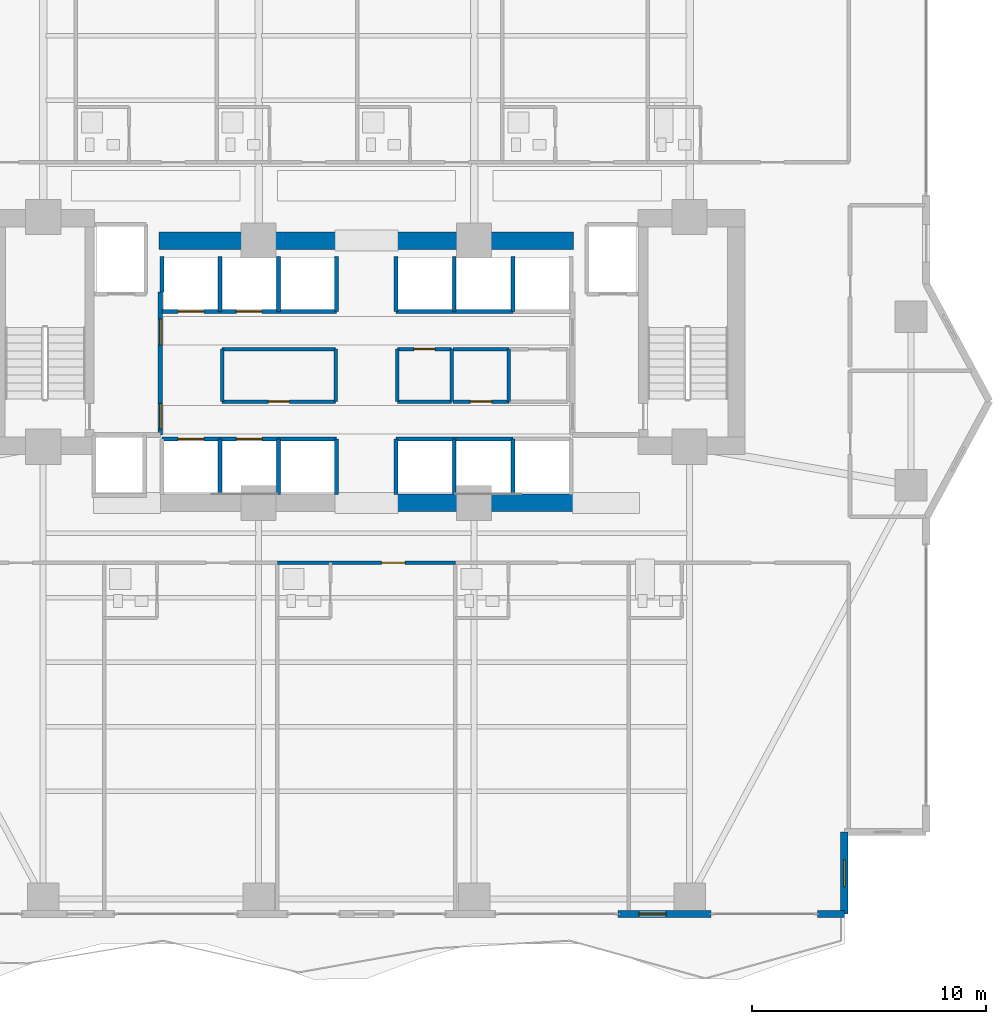
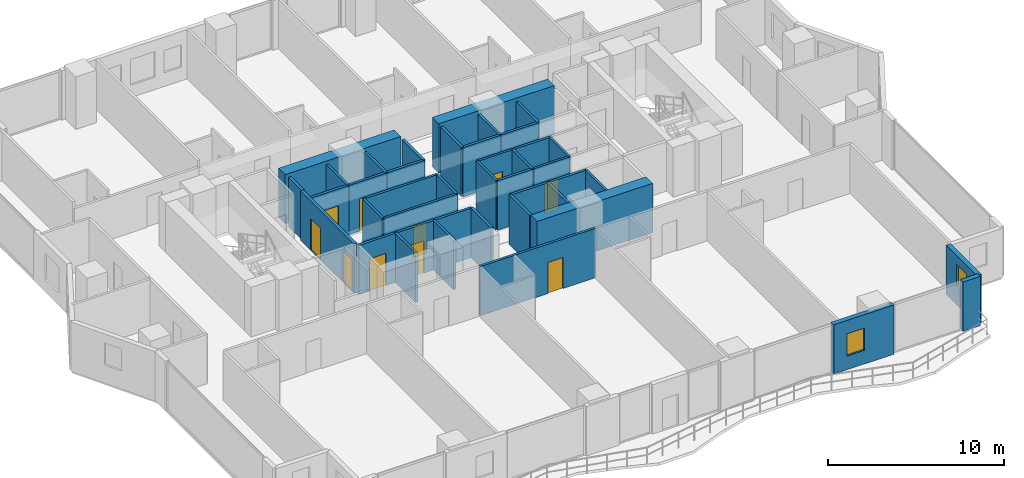
# One storey, part 21 of 28: 42 walls, 10 doors, 2 windows, 12 openings.
"""IFC4 building model written with IfcOpenShell, lengths in metres."""

from ifc_helpers import new_model, si_unit, direction, frame, frame_2d, origin, place, context, subcontext, project, spatial, rectangle, extrude, material, layer, layer_set, type_object, element, fill, save


model = new_model("IFC4")

# Units and contexts
model_context = context("Model", 3, precision=1e-05, world=origin(), true_north=direction((0.0, 1.0)))
body_context = subcontext(model_context, "Body", "Model", "MODEL_VIEW")
ifc_project = project(units=[si_unit("LENGTHUNIT", "METRE"), si_unit("AREAUNIT", "SQUARE_METRE"), si_unit("VOLUMEUNIT", "CUBIC_METRE"), si_unit("PLANEANGLEUNIT", "RADIAN"), si_unit("MASSUNIT", "GRAM", prefix="KILO")], contexts=[model_context])

# Site, building, storey
site_placement = place(None, origin())
site = spatial("IfcSite", under=ifc_project, at=site_placement, CompositionType="ELEMENT")
building_placement = place(site_placement, origin())
building = spatial("IfcBuilding", under=site, at=building_placement, Name="Zuhayl Quay Hotel", CompositionType="ELEMENT")
storey_placement = place(building_placement, frame((0.0, 0.0, 99.300048828125)))
storey = spatial("IfcBuildingStorey", under=building, at=storey_placement, Name="L24", CompositionType="ELEMENT", Elevation=99.300048828125)

# Walls
ifc_material_1 = material(Name="Concrete C60/75", Category="concrete")
ifc_layer_1 = layer(ifc_material_1, 0.75, Name="Concrete C60/75", Category="concrete")
ifc_layer_set_1 = layer_set([ifc_layer_1], Name="Concrete C60/75")
wall_type_1 = type_object("IfcWallType", Name="WL_CORE_750", PredefinedType="SHEAR", material=ifc_layer_set_1)
for number, where, z_axis, x_axis, name in (
    (1, (1.25, 2.14990234375, 0.0), (0.0, 0.0, 1.0), (1.0, 0.0, 0.0), "L24 Core Shear Wall CW_SC_E"),
    (2, (-8.85009765625, 13.35009765625, 0.0), (0.0, 0.0, 1.0), (1.0, 0.0, 0.0), "L24 Core Shear Wall CW_NC_W"),
    (3, (1.25, 13.35009765625, 0.0), (0.0, 0.0, 1.0), (1.0, 0.0, 0.0), "L24 Core Shear Wall CW_NC_E"),
):
    element("IfcWall", number, at=place(storey_placement, frame(where, z_axis=z_axis, x_axis=x_axis)), inside=storey, type_object=wall_type_1, Name=name, PredefinedType="SHEAR", context=body_context, shape_type="SweptSolid", body=[
        extrude(rectangle(XDim=7.60009765625, YDim=0.75, at=frame_2d((3.800048828125, 0.0))), origin(), (0.0, 0.0, 1.0), 3.429931640625),
    ])

# Wall, opening, window
ifc_material_2 = material(Name="Precast concrete C45/55", Category="concrete")
ifc_layer_2 = layer(ifc_material_2, 0.300048828125, Name="Precast concrete C45/55", Category="concrete")
ifc_layer_set_2 = layer_set([ifc_layer_2], Name="Precast concrete C45/55")
wall_type_2 = type_object("IfcWallType", Name="WL_EXT_300", PredefinedType="STANDARD", material=ifc_layer_set_2)
wall_1_placement = place(storey_placement, frame((20.39990234375, -11.89990234375, 0.0), z_axis=(0.0, 0.0, 1.0), x_axis=(0.0, -1.0, 0.0)))
wall_1 = element("IfcWall", 4, at=wall_1_placement, inside=storey, type_object=wall_type_2, Name="L24 Exterior Precast Wall ENV_L24_EW16", PredefinedType="STANDARD", context=body_context, shape_type="SweptSolid", body=[
    extrude(rectangle(XDim=3.5, YDim=0.300048828125, at=frame_2d((1.75, 0.0))), origin(), (0.0, 0.0, 1.0), 3.429931640625),
])
opening_1_placement = place(wall_1_placement, frame((1.18505859375, 0.0, 1.25)))
opening_1 = element("IfcOpeningElement", 5, at=opening_1_placement, cuts=wall_1, Name="Opening W01N", PredefinedType="OPENING", context=body_context, shape_type="SweptSolid", body=[
    extrude(rectangle(XDim=1.14990234375, YDim=1.550048828125, at=frame_2d((0.574951171875, 0.77490234375))), frame((0.0, 0.159912109375, 0.0), z_axis=(0.0, -1.0, 0.0), x_axis=(1.0, 0.0, 0.0)), (0.0, 0.0, 1.0), 0.320068359375),
])
ifc_material_3 = material(Name="Dark Ceramic-Fritted Solar Glass", Category="glass")
window_type = type_object("IfcWindowType", Name="WN_NOTCH_1350", PartitioningType="SINGLE_PANEL", PredefinedType="WINDOW", material=ifc_material_3)
window_1_placement = place(opening_1_placement, origin())
window_1 = element("IfcWindow", 6, at=window_1_placement, inside=storey, type_object=window_type, Name="L24 Corner Notch Window 16", OverallHeight=1.550048828125, OverallWidth=1.14990234375, PartitioningType="SINGLE_PANEL", PredefinedType="WINDOW", context=body_context, shape_type="SweptSolid", body=[
    extrude(rectangle(XDim=1.14990234375, YDim=1.550048828125, at=frame_2d((0.574951171875, 0.77490234375))), frame((0.0, 0.030029296875, 0.0), z_axis=(0.0, -1.0, 0.0), x_axis=(1.0, 0.0, 0.0)), (0.0, 0.0, 1.0), 0.06005859375),
])
fill(opening_1, window_1)

# Wall
wall_2_placement = place(storey_placement, frame((20.39990234375, -15.39990234375, 0.0), z_axis=(0.0, 0.0, 1.0), x_axis=(-1.0, 0.0, 0.0)))
element("IfcWall", 7, at=wall_2_placement, inside=storey, type_object=wall_type_2, Name="L24 Exterior Precast Wall ENV_L24_S_EW1", PredefinedType="STANDARD", context=body_context, shape_type="SweptSolid", body=[
    extrude(rectangle(XDim=1.14990234375, YDim=0.300048828125, at=frame_2d((0.574951171875, 0.0))), origin(), (0.0, 0.0, 1.0), 3.429931640625),
])

# Wall, opening, window
wall_3_placement = place(storey_placement, frame((14.719970703125, -15.39990234375, 0.0), z_axis=(0.0, 0.0, 1.0), x_axis=(-1.0, 0.0, 0.0)))
wall_3 = element("IfcWall", 8, at=wall_3_placement, inside=storey, type_object=wall_type_2, Name="L24 Exterior Precast Wall ENV_L24_S_EW2", PredefinedType="STANDARD", context=body_context, shape_type="SweptSolid", body=[
    extrude(rectangle(XDim=3.969970703125, YDim=0.300048828125, at=frame_2d((1.98486328125, 0.0))), origin(), (0.0, 0.0, 1.0), 3.429931640625),
])
opening_2_placement = place(wall_3_placement, frame((1.93505859375, 0.0, 0.949951171875)))
opening_2 = element("IfcOpeningElement", 9, at=opening_2_placement, cuts=wall_3, Name="Opening W01N", PredefinedType="OPENING", context=body_context, shape_type="SweptSolid", body=[
    extrude(rectangle(XDim=1.14990234375, YDim=1.550048828125, at=frame_2d((0.574951171875, 0.77490234375))), frame((0.0, 0.159912109375, 0.0), z_axis=(0.0, -1.0, 0.0), x_axis=(1.0, 0.0, 0.0)), (0.0, 0.0, 1.0), 0.320068359375),
])
window_2_placement = place(opening_2_placement, origin())
window_2 = element("IfcWindow", 10, at=window_2_placement, inside=storey, type_object=window_type, Name="L24 Operable Facade Window 2-1", OverallHeight=1.550048828125, OverallWidth=1.14990234375, PartitioningType="SINGLE_PANEL", PredefinedType="WINDOW", context=body_context, shape_type="SweptSolid", body=[
    extrude(rectangle(XDim=1.14990234375, YDim=1.550048828125, at=frame_2d((0.574951171875, 0.77490234375))), frame((0.0, 0.030029296875, 0.0), z_axis=(0.0, -1.0, 0.0), x_axis=(1.0, 0.0, 0.0)), (0.0, 0.0, 1.0), 0.06005859375),
])
fill(opening_2, window_2)

# Wall, opening, door
ifc_material_4 = material(Name="Acoustic Gypsum Partition STC-58")
ifc_layer_3 = layer(ifc_material_4, 0.14990234375, Name="Acoustic Gypsum Partition STC-58")
ifc_layer_set_3 = layer_set([ifc_layer_3], Name="Acoustic Gypsum Partition STC-58")
wall_type_3 = type_object("IfcWallType", Name="WL_PART_150", PredefinedType="PARTITIONING", material=ifc_layer_set_3)
wall_4_placement = place(storey_placement, frame((-6.159912109375, 6.47998046875, 0.0), z_axis=(0.0, 0.0, 1.0), x_axis=(1.0, 0.0, 0.0)))
wall_4 = element("IfcWall", 11, at=wall_4_placement, inside=storey, type_object=wall_type_3, Name="L24 Partition IW_L24_CORE_SV_S", PredefinedType="PARTITIONING", context=body_context, shape_type="SweptSolid", body=[
    extrude(rectangle(XDim=4.83984375, YDim=0.14990234375, at=frame_2d((2.419921875, 0.0))), origin(), (0.0, 0.0, 1.0), 3.429931640625),
])
opening_3_placement = place(wall_4_placement, frame((1.969970703125, 0.0, 0.0)))
opening_3 = element("IfcOpeningElement", 12, at=opening_3_placement, cuts=wall_4, Name="Opening D06", PredefinedType="OPENING", context=body_context, shape_type="SweptSolid", body=[
    extrude(rectangle(XDim=0.89990234375, YDim=2.14990234375, at=frame_2d((0.449951171875, 1.074951171875))), frame((0.0, 0.0849609375, 0.0), z_axis=(0.0, -1.0, 0.0), x_axis=(1.0, 0.0, 0.0)), (0.0, 0.0, 1.0), 0.169921875),
])
ifc_material_5 = material(Name="Steel ASTM A992 Grade 50", Category="steel")
door_type_1 = type_object("IfcDoorType", Name="DR_INT_900", OperationType="NOTDEFINED", PredefinedType="DOOR", material=ifc_material_5)
door_1_placement = place(opening_3_placement, origin())
door_1 = element("IfcDoor", 13, at=door_1_placement, inside=storey, type_object=door_type_1, Name="L24 Core Ice and Linen Store Door", OperationType="SINGLE_SWING_RIGHT", OverallHeight=2.14990234375, OverallWidth=0.89990234375, PredefinedType="DOOR", context=body_context, shape_type="SweptSolid", body=[
    extrude(rectangle(XDim=0.89990234375, YDim=2.14990234375, at=frame_2d((0.449951171875, 1.074951171875))), frame((0.0, 0.02490234375, 0.0), z_axis=(0.0, -1.0, 0.0), x_axis=(1.0, 0.0, 0.0)), (0.0, 0.0, 1.0), 0.050048828125),
])
fill(opening_3, door_1)

wall_5_placement = place(storey_placement, frame((1.320068359375, 8.719970703125, 0.0), z_axis=(0.0, 0.0, 1.0), x_axis=(1.0, 0.0, 0.0)))
wall_5 = element("IfcWall", 14, at=wall_5_placement, inside=storey, type_object=wall_type_3, Name="L24 Partition IW_L24_CORE_E1_N", PredefinedType="PARTITIONING", context=body_context, shape_type="SweptSolid", body=[
    extrude(rectangle(XDim=2.31982421875, YDim=0.14990234375, at=frame_2d((1.159912109375, 0.0))), origin(), (0.0, 0.0, 1.0), 3.429931640625),
])
opening_4_placement = place(wall_5_placement, frame((0.7099609375, 0.0, 0.0)))
opening_4 = element("IfcOpeningElement", 15, at=opening_4_placement, cuts=wall_5, Name="Opening D06", PredefinedType="OPENING", context=body_context, shape_type="SweptSolid", body=[
    extrude(rectangle(XDim=0.89990234375, YDim=2.14990234375, at=frame_2d((0.449951171875, 1.074951171875))), frame((0.0, 0.0849609375, 0.0), z_axis=(0.0, -1.0, 0.0), x_axis=(1.0, 0.0, 0.0)), (0.0, 0.0, 1.0), 0.169921875),
])
door_2_placement = place(opening_4_placement, origin())
door_2 = element("IfcDoor", 16, at=door_2_placement, inside=storey, type_object=door_type_1, Name="L24 Floor Electrical Closet Door", OperationType="SINGLE_SWING_LEFT", OverallHeight=2.14990234375, OverallWidth=0.89990234375, PredefinedType="DOOR", context=body_context, shape_type="SweptSolid", body=[
    extrude(rectangle(XDim=0.89990234375, YDim=2.14990234375, at=frame_2d((0.449951171875, 1.074951171875))), frame((0.0, 0.02490234375, 0.0), z_axis=(0.0, -1.0, 0.0), x_axis=(1.0, 0.0, 0.0)), (0.0, 0.0, 1.0), 0.050048828125),
])
fill(opening_4, door_2)

wall_6_placement = place(storey_placement, frame((3.699951171875, 6.47998046875, 0.0), z_axis=(0.0, 0.0, 1.0), x_axis=(1.0, 0.0, 0.0)))
wall_6 = element("IfcWall", 17, at=wall_6_placement, inside=storey, type_object=wall_type_3, Name="L24 Partition IW_L24_CORE_E2_S", PredefinedType="PARTITIONING", context=body_context, shape_type="SweptSolid", body=[
    extrude(rectangle(XDim=2.380126953125, YDim=0.14990234375, at=frame_2d((1.18994140625, 0.0))), origin(), (0.0, 0.0, 1.0), 3.429931640625),
])
opening_5_placement = place(wall_6_placement, frame((0.739990234375, 0.0, 0.0)))
opening_5 = element("IfcOpeningElement", 18, at=opening_5_placement, cuts=wall_6, Name="Opening D06", PredefinedType="OPENING", context=body_context, shape_type="SweptSolid", body=[
    extrude(rectangle(XDim=0.89990234375, YDim=2.14990234375, at=frame_2d((0.449951171875, 1.074951171875))), frame((0.0, 0.0849609375, 0.0), z_axis=(0.0, -1.0, 0.0), x_axis=(1.0, 0.0, 0.0)), (0.0, 0.0, 1.0), 0.169921875),
])
door_3_placement = place(opening_5_placement, origin())
door_3 = element("IfcDoor", 19, at=door_3_placement, inside=storey, type_object=door_type_1, Name="L24 Data Closet Door", OperationType="SINGLE_SWING_RIGHT", OverallHeight=2.14990234375, OverallWidth=0.89990234375, PredefinedType="DOOR", context=body_context, shape_type="SweptSolid", body=[
    extrude(rectangle(XDim=0.89990234375, YDim=2.14990234375, at=frame_2d((0.449951171875, 1.074951171875))), frame((0.0, 0.02490234375, 0.0), z_axis=(0.0, -1.0, 0.0), x_axis=(1.0, 0.0, 0.0)), (0.0, 0.0, 1.0), 0.050048828125),
])
fill(opening_5, door_3)

# Walls
wall_7_placement = place(storey_placement, frame((-6.159912109375, 8.719970703125, 0.0), z_axis=(0.0, 0.0, 1.0), x_axis=(1.0, 0.0, 0.0)))
element("IfcWall", 20, at=wall_7_placement, inside=storey, type_object=wall_type_3, Name="L24 Partition IW_L24_CORE_SV_N", PredefinedType="PARTITIONING", context=body_context, shape_type="SweptSolid", body=[
    extrude(rectangle(XDim=4.83984375, YDim=0.14990234375, at=frame_2d((2.419921875, 0.0))), origin(), (0.0, 0.0, 1.0), 3.429931640625),
])
for number, where, z_axis, x_axis, name in (
    (21, (-6.159912109375, 6.47998046875, 0.0), (0.0, 0.0, 1.0), (0.0, 1.0, 0.0), "L24 Partition IW_L24_CORE_SV_W"),
    (22, (-1.320068359375, 6.47998046875, 0.0), (0.0, 0.0, 1.0), (0.0, 1.0, 0.0), "L24 Partition IW_L24_CORE_SV_E"),
):
    element("IfcWall", number, at=place(storey_placement, frame(where, z_axis=z_axis, x_axis=x_axis)), inside=storey, type_object=wall_type_3, Name=name, PredefinedType="PARTITIONING", context=body_context, shape_type="SweptSolid", body=[
        extrude(rectangle(XDim=2.239990234375, YDim=0.14990234375, at=frame_2d((1.1201171875, 0.0))), origin(), (0.0, 0.0, 1.0), 3.429931640625),
    ])
wall_8_placement = place(storey_placement, frame((1.320068359375, 6.47998046875, 0.0), z_axis=(0.0, 0.0, 1.0), x_axis=(1.0, 0.0, 0.0)))
element("IfcWall", 23, at=wall_8_placement, inside=storey, type_object=wall_type_3, Name="L24 Partition IW_L24_CORE_E1_S", PredefinedType="PARTITIONING", context=body_context, shape_type="SweptSolid", body=[
    extrude(rectangle(XDim=2.31982421875, YDim=0.14990234375, at=frame_2d((1.159912109375, 0.0))), origin(), (0.0, 0.0, 1.0), 3.429931640625),
])
for number, where, z_axis, x_axis, name in (
    (24, (1.320068359375, 6.47998046875, 0.0), (0.0, 0.0, 1.0), (0.0, 1.0, 0.0), "L24 Partition IW_L24_CORE_E1_W"),
    (25, (3.639892578125, 6.47998046875, 0.0), (0.0, 0.0, 1.0), (0.0, 1.0, 0.0), "L24 Partition IW_L24_CORE_E1_E"),
):
    element("IfcWall", number, at=place(storey_placement, frame(where, z_axis=z_axis, x_axis=x_axis)), inside=storey, type_object=wall_type_3, Name=name, PredefinedType="PARTITIONING", context=body_context, shape_type="SweptSolid", body=[
        extrude(rectangle(XDim=2.239990234375, YDim=0.14990234375, at=frame_2d((1.1201171875, 0.0))), origin(), (0.0, 0.0, 1.0), 3.429931640625),
    ])
wall_9_placement = place(storey_placement, frame((3.699951171875, 8.719970703125, 0.0), z_axis=(0.0, 0.0, 1.0), x_axis=(1.0, 0.0, 0.0)))
element("IfcWall", 26, at=wall_9_placement, inside=storey, type_object=wall_type_3, Name="L24 Partition IW_L24_CORE_E2_N", PredefinedType="PARTITIONING", context=body_context, shape_type="SweptSolid", body=[
    extrude(rectangle(XDim=2.380126953125, YDim=0.14990234375, at=frame_2d((1.18994140625, 0.0))), origin(), (0.0, 0.0, 1.0), 3.429931640625),
])
wall_10_placement = place(storey_placement, frame((6.080078125, 6.47998046875, 0.0), z_axis=(0.0, 0.0, 1.0), x_axis=(0.0, 1.0, 0.0)))
element("IfcWall", 27, at=wall_10_placement, inside=storey, type_object=wall_type_3, Name="L24 Partition IW_L24_CORE_E2_E", PredefinedType="PARTITIONING", context=body_context, shape_type="SweptSolid", body=[
    extrude(rectangle(XDim=2.239990234375, YDim=0.14990234375, at=frame_2d((1.1201171875, 0.0))), origin(), (0.0, 0.0, 1.0), 3.429931640625),
])

# Wall, opening, door
ifc_layer_4 = layer(ifc_material_4, 0.159912109375, Name="Acoustic Gypsum Partition STC-58")
ifc_layer_set_4 = layer_set([ifc_layer_4], Name="Acoustic Gypsum Partition STC-58")
wall_type_4 = type_object("IfcWallType", Name="WL_PART_CORR_160", PredefinedType="PARTITIONING", material=ifc_layer_set_4)
wall_11_placement = place(storey_placement, frame((-3.800048828125, -0.39990234375, 0.0), z_axis=(0.0, 0.0, 1.0), x_axis=(1.0, 0.0, 0.0)))
wall_11 = element("IfcWall", 28, at=wall_11_placement, inside=storey, type_object=wall_type_4, Name="L24 Partition IW_L24_SU03_COR", PredefinedType="PARTITIONING", context=body_context, shape_type="SweptSolid", body=[
    extrude(rectangle(XDim=7.60009765625, YDim=0.159912109375, at=frame_2d((3.800048828125, 0.0))), origin(), (0.0, 0.0, 1.0), 3.429931640625),
])
opening_6_placement = place(wall_11_placement, frame((4.449951171875, 0.0, 0.0)))
opening_6 = element("IfcOpeningElement", 29, at=opening_6_placement, cuts=wall_11, Name="Opening D03L", PredefinedType="OPENING", context=body_context, shape_type="SweptSolid", body=[
    extrude(rectangle(XDim=1.0, YDim=2.14990234375, at=frame_2d((0.5, 1.074951171875))), frame((0.0, 0.08984375, 0.0), z_axis=(0.0, -1.0, 0.0), x_axis=(1.0, 0.0, 0.0)), (0.0, 0.0, 1.0), 0.179931640625),
])
ifc_material_6 = material(Name="Solid Walnut Acoustic Fire Door")
door_type_2 = type_object("IfcDoorType", Name="DR_SUITE_1000", OperationType="NOTDEFINED", PredefinedType="DOOR", material=ifc_material_6)
door_4_placement = place(opening_6_placement, origin())
door_4 = element("IfcDoor", 30, at=door_4_placement, inside=storey, type_object=door_type_2, Name="L24 City-View Junior Suite L24-03 Entrance Door", OperationType="SINGLE_SWING_LEFT", OverallHeight=2.14990234375, OverallWidth=1.0, PredefinedType="DOOR", context=body_context, shape_type="SweptSolid", body=[
    extrude(rectangle(XDim=1.0, YDim=2.14990234375, at=frame_2d((0.5, 1.074951171875))), frame((0.0, 0.02490234375, 0.0), z_axis=(0.0, -1.0, 0.0), x_axis=(1.0, 0.0, 0.0)), (0.0, 0.0, 1.0), 0.050048828125),
])
fill(opening_6, door_4)

ifc_material_7 = material(Name="Gypsum Fireboard Assembly EI-90")
ifc_layer_5 = layer(ifc_material_7, 0.1650390625, Name="Gypsum Fireboard Assembly EI-90")
ifc_layer_set_5 = layer_set([ifc_layer_5], Name="Gypsum Fireboard Assembly EI-90")
wall_type_5 = type_object("IfcWallType", Name="WL_PART_SHAFT_160", PredefinedType="PARTITIONING", material=ifc_layer_set_5)
wall_12_placement = place(storey_placement, frame((-8.72998046875, 4.8798828125, 0.0), z_axis=(0.0, 0.0, 1.0), x_axis=(1.0, 0.0, 0.0)))
wall_12 = element("IfcWall", 31, at=wall_12_placement, inside=storey, type_object=wall_type_5, Name="L24 Partition IW_L24_SH_LP1_F", PredefinedType="PARTITIONING", context=body_context, shape_type="SweptSolid", body=[
    extrude(rectangle(XDim=2.47998046875, YDim=0.1650390625, at=frame_2d((1.239990234375, 0.0))), origin(), (0.0, 0.0, 1.0), 3.429931640625),
])
opening_7_placement = place(wall_12_placement, frame((0.68994140625, 0.0, 0.0)))
opening_7 = element("IfcOpeningElement", 32, at=opening_7_placement, cuts=wall_12, Name="Opening LD1", PredefinedType="OPENING", context=body_context, shape_type="SweptSolid", body=[
    extrude(rectangle(XDim=1.10009765625, YDim=2.25, at=frame_2d((0.550048828125, 1.125))), frame((0.0, 0.092529296875, 0.0), z_axis=(0.0, -1.0, 0.0), x_axis=(1.0, 0.0, 0.0)), (0.0, 0.0, 1.0), 0.18505859375),
])
ifc_material_8 = material(Name="Brushed Stainless Steel", Category="steel")
door_type_3 = type_object("IfcDoorType", Name="DR_LIFT_PASS_1100", OperationType="SLIDING_TO_LEFT", PredefinedType="DOOR", material=ifc_material_8)
door_5_placement = place(opening_7_placement, origin())
door_5 = element("IfcDoor", 33, at=door_5_placement, inside=storey, type_object=door_type_3, Name="L24 Lift LP1 Sliding Landing Door", OperationType="SLIDING_TO_LEFT", OverallHeight=2.25, OverallWidth=1.10009765625, PredefinedType="DOOR", context=body_context, shape_type="SweptSolid", body=[
    extrude(rectangle(XDim=1.10009765625, YDim=2.25, at=frame_2d((0.550048828125, 1.125))), frame((0.0, 0.02490234375, 0.0), z_axis=(0.0, -1.0, 0.0), x_axis=(1.0, 0.0, 0.0)), (0.0, 0.0, 1.0), 0.050048828125),
])
fill(opening_7, door_5)

wall_13_placement = place(storey_placement, frame((-6.25, 4.8798828125, 0.0), z_axis=(0.0, 0.0, 1.0), x_axis=(1.0, 0.0, 0.0)))
wall_13 = element("IfcWall", 34, at=wall_13_placement, inside=storey, type_object=wall_type_5, Name="L24 Partition IW_L24_SH_LP2_F", PredefinedType="PARTITIONING", context=body_context, shape_type="SweptSolid", body=[
    extrude(rectangle(XDim=2.5, YDim=0.1650390625, at=frame_2d((1.25, 0.0))), origin(), (0.0, 0.0, 1.0), 3.429931640625),
])
opening_8_placement = place(wall_13_placement, frame((0.699951171875, 0.0, 0.0)))
opening_8 = element("IfcOpeningElement", 35, at=opening_8_placement, cuts=wall_13, Name="Opening LD1", PredefinedType="OPENING", context=body_context, shape_type="SweptSolid", body=[
    extrude(rectangle(XDim=1.10009765625, YDim=2.25, at=frame_2d((0.550048828125, 1.125))), frame((0.0, 0.092529296875, 0.0), z_axis=(0.0, -1.0, 0.0), x_axis=(1.0, 0.0, 0.0)), (0.0, 0.0, 1.0), 0.18505859375),
])
door_6_placement = place(opening_8_placement, origin())
door_6 = element("IfcDoor", 36, at=door_6_placement, inside=storey, type_object=door_type_3, Name="L24 Lift LP2 Sliding Landing Door", OperationType="SLIDING_TO_LEFT", OverallHeight=2.25, OverallWidth=1.10009765625, PredefinedType="DOOR", context=body_context, shape_type="SweptSolid", body=[
    extrude(rectangle(XDim=1.10009765625, YDim=2.25, at=frame_2d((0.550048828125, 1.125))), frame((0.0, 0.02490234375, 0.0), z_axis=(0.0, -1.0, 0.0), x_axis=(1.0, 0.0, 0.0)), (0.0, 0.0, 1.0), 0.050048828125),
])
fill(opening_8, door_6)

wall_14_placement = place(storey_placement, frame((-8.72998046875, 10.320068359375, 0.0), z_axis=(0.0, 0.0, 1.0), x_axis=(1.0, 0.0, 0.0)))
wall_14 = element("IfcWall", 37, at=wall_14_placement, inside=storey, type_object=wall_type_5, Name="L24 Partition IW_L24_SH_LP3_F", PredefinedType="PARTITIONING", context=body_context, shape_type="SweptSolid", body=[
    extrude(rectangle(XDim=2.47998046875, YDim=0.1650390625, at=frame_2d((1.239990234375, 0.0))), origin(), (0.0, 0.0, 1.0), 3.429931640625),
])
opening_9_placement = place(wall_14_placement, frame((0.68994140625, 0.0, 0.0)))
opening_9 = element("IfcOpeningElement", 38, at=opening_9_placement, cuts=wall_14, Name="Opening LD1", PredefinedType="OPENING", context=body_context, shape_type="SweptSolid", body=[
    extrude(rectangle(XDim=1.10009765625, YDim=2.25, at=frame_2d((0.550048828125, 1.125))), frame((0.0, 0.092529296875, 0.0), z_axis=(0.0, -1.0, 0.0), x_axis=(1.0, 0.0, 0.0)), (0.0, 0.0, 1.0), 0.18505859375),
])
door_7_placement = place(opening_9_placement, origin())
door_7 = element("IfcDoor", 39, at=door_7_placement, inside=storey, type_object=door_type_3, Name="L24 Lift LP3 Sliding Landing Door", OperationType="SLIDING_TO_LEFT", OverallHeight=2.25, OverallWidth=1.10009765625, PredefinedType="DOOR", context=body_context, shape_type="SweptSolid", body=[
    extrude(rectangle(XDim=1.10009765625, YDim=2.25, at=frame_2d((0.550048828125, 1.125))), frame((0.0, 0.02490234375, 0.0), z_axis=(0.0, -1.0, 0.0), x_axis=(1.0, 0.0, 0.0)), (0.0, 0.0, 1.0), 0.050048828125),
])
fill(opening_9, door_7)

wall_15_placement = place(storey_placement, frame((-6.25, 10.320068359375, 0.0), z_axis=(0.0, 0.0, 1.0), x_axis=(1.0, 0.0, 0.0)))
wall_15 = element("IfcWall", 40, at=wall_15_placement, inside=storey, type_object=wall_type_5, Name="L24 Partition IW_L24_SH_LP4_F", PredefinedType="PARTITIONING", context=body_context, shape_type="SweptSolid", body=[
    extrude(rectangle(XDim=2.5, YDim=0.1650390625, at=frame_2d((1.25, 0.0))), origin(), (0.0, 0.0, 1.0), 3.429931640625),
])
opening_10_placement = place(wall_15_placement, frame((0.699951171875, 0.0, 0.0)))
opening_10 = element("IfcOpeningElement", 41, at=opening_10_placement, cuts=wall_15, Name="Opening LD1", PredefinedType="OPENING", context=body_context, shape_type="SweptSolid", body=[
    extrude(rectangle(XDim=1.10009765625, YDim=2.25, at=frame_2d((0.550048828125, 1.125))), frame((0.0, 0.092529296875, 0.0), z_axis=(0.0, -1.0, 0.0), x_axis=(1.0, 0.0, 0.0)), (0.0, 0.0, 1.0), 0.18505859375),
])
door_8_placement = place(opening_10_placement, origin())
door_8 = element("IfcDoor", 42, at=door_8_placement, inside=storey, type_object=door_type_3, Name="L24 Lift LP4 Sliding Landing Door", OperationType="SLIDING_TO_LEFT", OverallHeight=2.25, OverallWidth=1.10009765625, PredefinedType="DOOR", context=body_context, shape_type="SweptSolid", body=[
    extrude(rectangle(XDim=1.10009765625, YDim=2.25, at=frame_2d((0.550048828125, 1.125))), frame((0.0, 0.02490234375, 0.0), z_axis=(0.0, -1.0, 0.0), x_axis=(1.0, 0.0, 0.0)), (0.0, 0.0, 1.0), 0.050048828125),
])
fill(opening_10, door_8)

# Walls
for number, where, z_axis, x_axis, name in (
    (43, (-6.25, 2.52001953125, 0.0), (0.0, 0.0, 1.0), (0.0, 1.0, 0.0), "L24 Partition IW_L24_SH_LP1_E"),
    (44, (-3.75, 2.52001953125, 0.0), (0.0, 0.0, 1.0), (0.0, 1.0, 0.0), "L24 Partition IW_L24_SH_LP2_E"),
):
    element("IfcWall", number, at=place(storey_placement, frame(where, z_axis=z_axis, x_axis=x_axis)), inside=storey, type_object=wall_type_5, Name=name, PredefinedType="PARTITIONING", context=body_context, shape_type="SweptSolid", body=[
        extrude(rectangle(XDim=2.35986328125, YDim=0.1650390625, at=frame_2d((1.179931640625, 0.0))), origin(), (0.0, 0.0, 1.0), 3.429931640625),
    ])
wall_16_placement = place(storey_placement, frame((-8.72998046875, 11.14990234375, 0.0), z_axis=(0.0, 0.0, 1.0), x_axis=(0.0, 1.0, 0.0)))
element("IfcWall", 45, at=wall_16_placement, inside=storey, type_object=wall_type_5, Name="L24 Partition IW_L24_SH_LP3_W", PredefinedType="PARTITIONING", context=body_context, shape_type="SweptSolid", body=[
    extrude(rectangle(XDim=1.530029296875, YDim=0.1650390625, at=frame_2d((0.76513671875, 0.0))), origin(), (0.0, 0.0, 1.0), 3.429931640625),
])
for number, where, z_axis, x_axis, name in (
    (46, (-6.25, 10.320068359375, 0.0), (0.0, 0.0, 1.0), (0.0, 1.0, 0.0), "L24 Partition IW_L24_SH_LP3_E"),
    (47, (-3.75, 10.320068359375, 0.0), (0.0, 0.0, 1.0), (0.0, 1.0, 0.0), "L24 Partition IW_L24_SH_LP4_E"),
):
    element("IfcWall", number, at=place(storey_placement, frame(where, z_axis=z_axis, x_axis=x_axis)), inside=storey, type_object=wall_type_5, Name=name, PredefinedType="PARTITIONING", context=body_context, shape_type="SweptSolid", body=[
        extrude(rectangle(XDim=2.35986328125, YDim=0.1650390625, at=frame_2d((1.179931640625, 0.0))), origin(), (0.0, 0.0, 1.0), 3.429931640625),
    ])
wall_17_placement = place(storey_placement, frame((-3.75, 4.8798828125, 0.0), z_axis=(0.0, 0.0, 1.0), x_axis=(1.0, 0.0, 0.0)))
element("IfcWall", 48, at=wall_17_placement, inside=storey, type_object=wall_type_5, Name="L24 Partition IW_L24_SH_MP1_F", PredefinedType="PARTITIONING", context=body_context, shape_type="SweptSolid", body=[
    extrude(rectangle(XDim=2.47998046875, YDim=0.1650390625, at=frame_2d((1.239990234375, 0.0))), origin(), (0.0, 0.0, 1.0), 3.429931640625),
])
wall_18_placement = place(storey_placement, frame((-1.27001953125, 2.52001953125, 0.0), z_axis=(0.0, 0.0, 1.0), x_axis=(0.0, 1.0, 0.0)))
element("IfcWall", 49, at=wall_18_placement, inside=storey, type_object=wall_type_5, Name="L24 Partition IW_L24_SH_MP1_E", PredefinedType="PARTITIONING", context=body_context, shape_type="SweptSolid", body=[
    extrude(rectangle(XDim=2.35986328125, YDim=0.1650390625, at=frame_2d((1.179931640625, 0.0))), origin(), (0.0, 0.0, 1.0), 3.429931640625),
])
wall_19_placement = place(storey_placement, frame((1.27001953125, 4.8798828125, 0.0), z_axis=(0.0, 0.0, 1.0), x_axis=(1.0, 0.0, 0.0)))
element("IfcWall", 50, at=wall_19_placement, inside=storey, type_object=wall_type_5, Name="L24 Partition IW_L24_SH_MP2_F", PredefinedType="PARTITIONING", context=body_context, shape_type="SweptSolid", body=[
    extrude(rectangle(XDim=2.47998046875, YDim=0.1650390625, at=frame_2d((1.239990234375, 0.0))), origin(), (0.0, 0.0, 1.0), 3.429931640625),
])
for number, where, z_axis, x_axis, name in (
    (51, (1.27001953125, 2.52001953125, 0.0), (0.0, 0.0, 1.0), (0.0, 1.0, 0.0), "L24 Partition IW_L24_SH_MP2_W"),
    (52, (3.75, 2.52001953125, 0.0), (0.0, 0.0, 1.0), (0.0, 1.0, 0.0), "L24 Partition IW_L24_SH_MP2_E"),
):
    element("IfcWall", number, at=place(storey_placement, frame(where, z_axis=z_axis, x_axis=x_axis)), inside=storey, type_object=wall_type_5, Name=name, PredefinedType="PARTITIONING", context=body_context, shape_type="SweptSolid", body=[
        extrude(rectangle(XDim=2.35986328125, YDim=0.1650390625, at=frame_2d((1.179931640625, 0.0))), origin(), (0.0, 0.0, 1.0), 3.429931640625),
    ])
wall_20_placement = place(storey_placement, frame((-3.75, 10.320068359375, 0.0), z_axis=(0.0, 0.0, 1.0), x_axis=(1.0, 0.0, 0.0)))
element("IfcWall", 53, at=wall_20_placement, inside=storey, type_object=wall_type_5, Name="L24 Partition IW_L24_SH_MP3_F", PredefinedType="PARTITIONING", context=body_context, shape_type="SweptSolid", body=[
    extrude(rectangle(XDim=2.47998046875, YDim=0.1650390625, at=frame_2d((1.239990234375, 0.0))), origin(), (0.0, 0.0, 1.0), 3.429931640625),
])
wall_21_placement = place(storey_placement, frame((-1.27001953125, 10.320068359375, 0.0), z_axis=(0.0, 0.0, 1.0), x_axis=(0.0, 1.0, 0.0)))
element("IfcWall", 54, at=wall_21_placement, inside=storey, type_object=wall_type_5, Name="L24 Partition IW_L24_SH_MP3_E", PredefinedType="PARTITIONING", context=body_context, shape_type="SweptSolid", body=[
    extrude(rectangle(XDim=2.35986328125, YDim=0.1650390625, at=frame_2d((1.179931640625, 0.0))), origin(), (0.0, 0.0, 1.0), 3.429931640625),
])
wall_22_placement = place(storey_placement, frame((1.27001953125, 10.320068359375, 0.0), z_axis=(0.0, 0.0, 1.0), x_axis=(1.0, 0.0, 0.0)))
element("IfcWall", 55, at=wall_22_placement, inside=storey, type_object=wall_type_5, Name="L24 Partition IW_L24_SH_MP4_F", PredefinedType="PARTITIONING", context=body_context, shape_type="SweptSolid", body=[
    extrude(rectangle(XDim=2.47998046875, YDim=0.1650390625, at=frame_2d((1.239990234375, 0.0))), origin(), (0.0, 0.0, 1.0), 3.429931640625),
])
for number, where, z_axis, x_axis, name in (
    (56, (1.27001953125, 10.320068359375, 0.0), (0.0, 0.0, 1.0), (0.0, 1.0, 0.0), "L24 Partition IW_L24_SH_MP4_W"),
    (57, (3.75, 10.320068359375, 0.0), (0.0, 0.0, 1.0), (0.0, 1.0, 0.0), "L24 Partition IW_L24_SH_MP4_E"),
):
    element("IfcWall", number, at=place(storey_placement, frame(where, z_axis=z_axis, x_axis=x_axis)), inside=storey, type_object=wall_type_5, Name=name, PredefinedType="PARTITIONING", context=body_context, shape_type="SweptSolid", body=[
        extrude(rectangle(XDim=2.35986328125, YDim=0.1650390625, at=frame_2d((1.179931640625, 0.0))), origin(), (0.0, 0.0, 1.0), 3.429931640625),
    ])
wall_23_placement = place(storey_placement, frame((3.75, 4.8798828125, 0.0), z_axis=(0.0, 0.0, 1.0), x_axis=(1.0, 0.0, 0.0)))
element("IfcWall", 58, at=wall_23_placement, inside=storey, type_object=wall_type_5, Name="L24 Partition IW_L24_SH_HP1_F", PredefinedType="PARTITIONING", context=body_context, shape_type="SweptSolid", body=[
    extrude(rectangle(XDim=2.5, YDim=0.1650390625, at=frame_2d((1.25, 0.0))), origin(), (0.0, 0.0, 1.0), 3.429931640625),
])
wall_24_placement = place(storey_placement, frame((6.25, 2.52001953125, 0.0), z_axis=(0.0, 0.0, 1.0), x_axis=(0.0, 1.0, 0.0)))
element("IfcWall", 59, at=wall_24_placement, inside=storey, type_object=wall_type_5, Name="L24 Partition IW_L24_SH_HP1_E", PredefinedType="PARTITIONING", context=body_context, shape_type="SweptSolid", body=[
    extrude(rectangle(XDim=2.35986328125, YDim=0.1650390625, at=frame_2d((1.179931640625, 0.0))), origin(), (0.0, 0.0, 1.0), 3.429931640625),
])
wall_25_placement = place(storey_placement, frame((3.75, 10.320068359375, 0.0), z_axis=(0.0, 0.0, 1.0), x_axis=(1.0, 0.0, 0.0)))
element("IfcWall", 60, at=wall_25_placement, inside=storey, type_object=wall_type_5, Name="L24 Partition IW_L24_SH_HP3_F", PredefinedType="PARTITIONING", context=body_context, shape_type="SweptSolid", body=[
    extrude(rectangle(XDim=2.5, YDim=0.1650390625, at=frame_2d((1.25, 0.0))), origin(), (0.0, 0.0, 1.0), 3.429931640625),
])
wall_26_placement = place(storey_placement, frame((6.25, 10.320068359375, 0.0), z_axis=(0.0, 0.0, 1.0), x_axis=(0.0, 1.0, 0.0)))
element("IfcWall", 61, at=wall_26_placement, inside=storey, type_object=wall_type_5, Name="L24 Partition IW_L24_SH_HP3_E", PredefinedType="PARTITIONING", context=body_context, shape_type="SweptSolid", body=[
    extrude(rectangle(XDim=2.35986328125, YDim=0.1650390625, at=frame_2d((1.179931640625, 0.0))), origin(), (0.0, 0.0, 1.0), 3.429931640625),
])

# Wall, openings, doors
ifc_material_9 = material(Name="Gypsum Fireboard Assembly EI-120")
ifc_layer_6 = layer(ifc_material_9, 0.199951171875, Name="Gypsum Fireboard Assembly EI-120")
ifc_layer_set_6 = layer_set([ifc_layer_6], Name="Gypsum Fireboard Assembly EI-120")
wall_type_6 = type_object("IfcWallType", Name="WL_PART_SHAFT_200", PredefinedType="PARTITIONING", material=ifc_layer_set_6)
wall_27_placement = place(storey_placement, frame((-8.800048828125, 5.050048828125, 0.0), z_axis=(0.0, 0.0, 1.0), x_axis=(0.0, 1.0, 0.0)))
wall_27 = element("IfcWall", 62, at=wall_27_placement, inside=storey, type_object=wall_type_6, Name="L24 Partition IW_L24_FSAE_W_E", PredefinedType="PARTITIONING", context=body_context, shape_type="SweptSolid", body=[
    extrude(rectangle(XDim=6.099853515625, YDim=0.199951171875, at=frame_2d((3.0498046875, 0.0))), origin(), (0.0, 0.0, 1.0), 3.429931640625),
])
opening_11_placement = place(wall_27_placement, frame((0.25, 0.0, 0.0)))
opening_11 = element("IfcOpeningElement", 63, at=opening_11_placement, cuts=wall_27, Name="Opening D02", PredefinedType="OPENING", context=body_context, shape_type="SweptSolid", body=[
    extrude(rectangle(XDim=1.10009765625, YDim=2.199951171875, at=frame_2d((0.550048828125, 1.10009765625))), frame((0.0, 0.10986328125, 0.0), z_axis=(0.0, -1.0, 0.0), x_axis=(1.0, 0.0, 0.0)), (0.0, 0.0, 1.0), 0.219970703125),
])
opening_12_placement = place(wall_27_placement, frame((3.85009765625, 0.0, 0.0)))
opening_12 = element("IfcOpeningElement", 64, at=opening_12_placement, cuts=wall_27, Name="Opening D02", PredefinedType="OPENING", context=body_context, shape_type="SweptSolid", body=[
    extrude(rectangle(XDim=1.10009765625, YDim=2.199951171875, at=frame_2d((0.550048828125, 1.10009765625))), frame((0.0, 0.10986328125, 0.0), z_axis=(0.0, -1.0, 0.0), x_axis=(1.0, 0.0, 0.0)), (0.0, 0.0, 1.0), 0.219970703125),
])
door_type_4 = type_object("IfcDoorType", Name="DR_FIRE_90_1100", OperationType="NOTDEFINED", PredefinedType="DOOR", material=ifc_material_5)
door_9_placement = place(opening_11_placement, origin())
door_9 = element("IfcDoor", 65, at=door_9_placement, inside=storey, type_object=door_type_4, Name="L24 FSAE Lobby West South Entry Door", OperationType="SINGLE_SWING_RIGHT", OverallHeight=2.199951171875, OverallWidth=1.10009765625, PredefinedType="DOOR", context=body_context, shape_type="SweptSolid", body=[
    extrude(rectangle(XDim=1.10009765625, YDim=2.199951171875, at=frame_2d((0.550048828125, 1.10009765625))), frame((0.0, 0.02490234375, 0.0), z_axis=(0.0, -1.0, 0.0), x_axis=(1.0, 0.0, 0.0)), (0.0, 0.0, 1.0), 0.050048828125),
])
fill(opening_11, door_9)
door_10_placement = place(opening_12_placement, origin())
door_10 = element("IfcDoor", 66, at=door_10_placement, inside=storey, type_object=door_type_4, Name="L24 FSAE Lobby West North Entry Door", OperationType="SINGLE_SWING_LEFT", OverallHeight=2.199951171875, OverallWidth=1.10009765625, PredefinedType="DOOR", context=body_context, shape_type="SweptSolid", body=[
    extrude(rectangle(XDim=1.10009765625, YDim=2.199951171875, at=frame_2d((0.550048828125, 1.10009765625))), frame((0.0, 0.02490234375, 0.0), z_axis=(0.0, -1.0, 0.0), x_axis=(1.0, 0.0, 0.0)), (0.0, 0.0, 1.0), 0.050048828125),
])
fill(opening_12, door_10)

save(model, "model.ifc")
